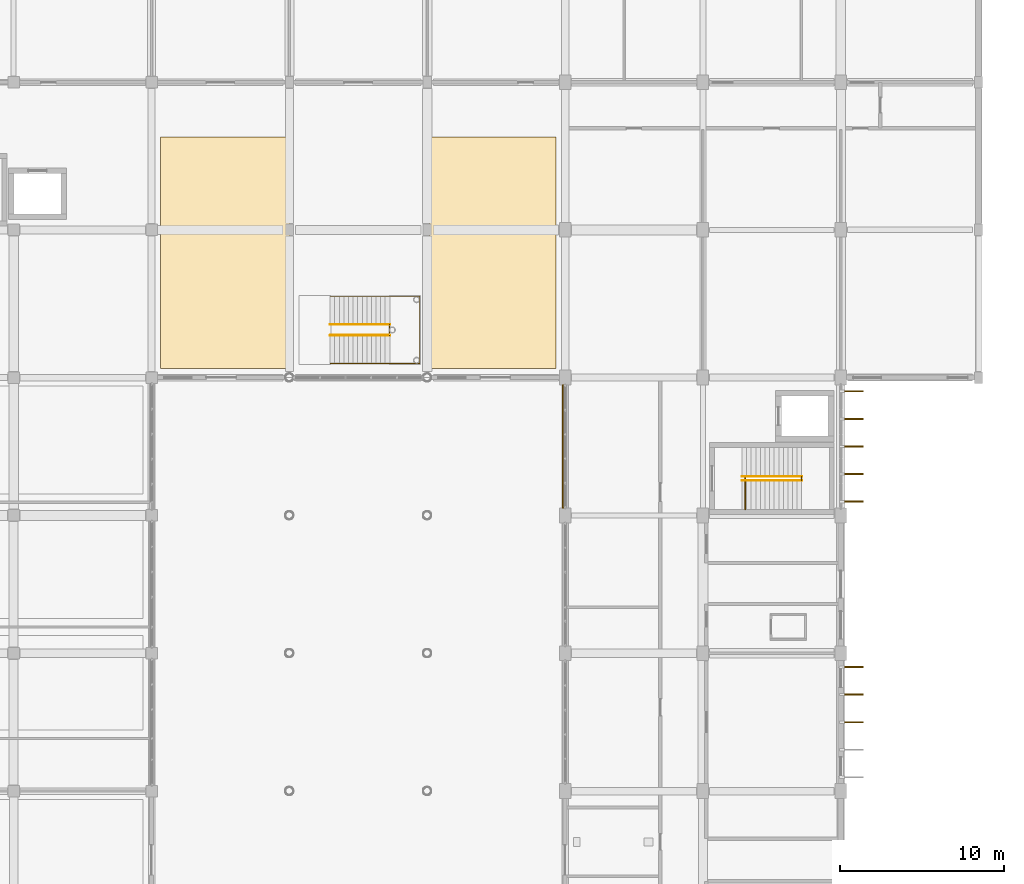
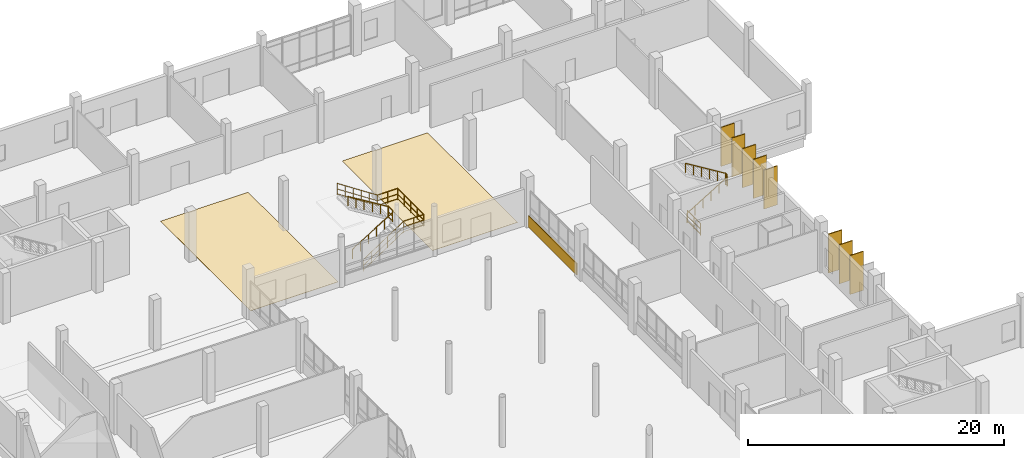
# One storey, part 93 of 95: 8 railings, 8 shading devices, 3 coverings.
"""IFC4 building model written with IfcOpenShell, lengths in metres."""

from ifc_helpers import new_model, si_unit, direction, frame, origin, origin_2d, place, context, subcontext, project, spatial, polyline, rectangle, circle, outline, extrude, material, layer, layer_set, material_profile, profile_set, type_object, element, save


model = new_model("IFC4")

# Units and contexts
model_context = context("Model", 3, precision=1e-05, world=origin(), true_north=direction((0.0, 1.0)))
body_context = subcontext(model_context, "Body", "Model", "MODEL_VIEW")
ifc_project = project(units=[si_unit("LENGTHUNIT", "METRE"), si_unit("AREAUNIT", "SQUARE_METRE"), si_unit("VOLUMEUNIT", "CUBIC_METRE"), si_unit("PLANEANGLEUNIT", "RADIAN"), si_unit("MASSUNIT", "GRAM", prefix="KILO")], contexts=[model_context])

# Site, building, storey
site_placement = place(None, origin())
site = spatial("IfcSite", under=ifc_project, at=site_placement, CompositionType="ELEMENT")
building_placement = place(site_placement, origin())
building = spatial("IfcBuilding", under=site, at=building_placement, Name="Vireocrest Preparatory School", CompositionType="ELEMENT")
storey_placement = place(building_placement, origin())
storey = spatial("IfcBuildingStorey", under=building, at=storey_placement, Name="L00", CompositionType="ELEMENT", Elevation=0.0)

# Railings
ifc_material_1 = material(Name="Brushed stainless steel AISI 316", Category="steel")
railing_type_1 = type_object("IfcRailingType", Name="Post-and-Rail Guard Balustrade 1120", PredefinedType="BALUSTRADE", material=ifc_material_1)
railing_1_placement = place(storey_placement, frame((103.3701171875, 77.75, 0.0)))
element("IfcRailing", 1, at=railing_1_placement, inside=storey, type_object=railing_type_1, Name="Arrival Landing Guard ST4-B01", PredefinedType="BALUSTRADE", context=body_context, shape_type="SweptSolid", body=[
    extrude(circle(Radius=0.02392578125, at=origin_2d()), frame((0.0, 0.0, 1.09619140625), z_axis=(0.0, 1.0, 0.0), x_axis=(-1.0, 0.0, 0.0)), (0.0, 0.0, 1.0), 2.02001953125),
    extrude(circle(Radius=0.01806640625, at=origin_2d()), frame((0.0, 0.0, 0.56005859375), z_axis=(0.0, 1.0, 0.0), x_axis=(-1.0, 0.0, 0.0)), (0.0, 0.0, 1.0), 2.02001953125),
    extrude(circle(Radius=0.01806640625, at=origin_2d()), frame((0.0, 0.0, 0.10009765625), z_axis=(0.0, 1.0, 0.0), x_axis=(-1.0, 0.0, 0.0)), (0.0, 0.0, 1.0), 2.02001953125),
    extrude(circle(Radius=0.02099609375, at=origin_2d()), origin(), (0.0, 0.0, 1.0), 1.072021484375),
    extrude(circle(Radius=0.02099609375, at=origin_2d()), frame((0.0, 1.010009765625, 0.0)), (0.0, 0.0, 1.0), 1.072021484375),
    extrude(circle(Radius=0.02099609375, at=origin_2d()), frame((0.0, 2.02001953125, 0.0)), (0.0, 0.0, 1.0), 1.072021484375),
])
railing_2_placement = place(storey_placement, frame((106.800048828125, 79.530029296875, 2.39990234375)))
element("IfcRailing", 2, at=railing_2_placement, inside=storey, type_object=railing_type_1, Name="Half-Landing Well Guard ST4-L00", PredefinedType="BALUSTRADE", context=body_context, shape_type="SweptSolid", body=[
    extrude(circle(Radius=0.02392578125, at=origin_2d()), frame((0.0, 0.0, 1.09619140625), z_axis=(0.0, 1.0, 0.0), x_axis=(-1.0, 0.0, 0.0)), (0.0, 0.0, 1.0), 0.239990234375),
    extrude(circle(Radius=0.01806640625, at=origin_2d()), frame((0.0, 0.0, 0.56005859375), z_axis=(0.0, 1.0, 0.0), x_axis=(-1.0, 0.0, 0.0)), (0.0, 0.0, 1.0), 0.239990234375),
    extrude(circle(Radius=0.01806640625, at=origin_2d()), frame((0.0, 0.0, 0.10009765625), z_axis=(0.0, 1.0, 0.0), x_axis=(-1.0, 0.0, 0.0)), (0.0, 0.0, 1.0), 0.239990234375),
    extrude(circle(Radius=0.02099609375, at=origin_2d()), origin(), (0.0, 0.0, 1.0), 1.072021484375),
    extrude(circle(Radius=0.02099609375, at=origin_2d()), frame((0.0, 0.239990234375, 0.0)), (0.0, 0.0, 1.0), 1.072021484375),
])
railing_3_placement = place(storey_placement, frame((81.699951171875, 88.3701171875, 2.39990234375)))
element("IfcRailing", 3, at=railing_3_placement, inside=storey, type_object=railing_type_1, Name="Half-Landing Well Guard ST7-L00", PredefinedType="BALUSTRADE", context=body_context, shape_type="SweptSolid", body=[
    extrude(circle(Radius=0.02392578125, at=origin_2d()), frame((0.0, 0.0, 1.09619140625), z_axis=(0.0, 1.0, 0.0), x_axis=(-1.0, 0.0, 0.0)), (0.0, 0.0, 1.0), 0.659912109375),
    extrude(circle(Radius=0.01806640625, at=origin_2d()), frame((0.0, 0.0, 0.56005859375), z_axis=(0.0, 1.0, 0.0), x_axis=(-1.0, 0.0, 0.0)), (0.0, 0.0, 1.0), 0.659912109375),
    extrude(circle(Radius=0.01806640625, at=origin_2d()), frame((0.0, 0.0, 0.10009765625), z_axis=(0.0, 1.0, 0.0), x_axis=(-1.0, 0.0, 0.0)), (0.0, 0.0, 1.0), 0.659912109375),
    extrude(circle(Radius=0.02099609375, at=origin_2d()), origin(), (0.0, 0.0, 1.0), 1.072021484375),
    extrude(circle(Radius=0.02099609375, at=origin_2d()), frame((0.0, 0.659912109375, 0.0)), (0.0, 0.0, 1.0), 1.072021484375),
])
railing_4_placement = place(storey_placement, frame((78.080078125, 86.64990234375, 0.0)))
element("IfcRailing", 4, at=railing_4_placement, inside=storey, type_object=railing_type_1, Name="Feature Stair Outer Guard GR1 ST7", PredefinedType="BALUSTRADE", context=body_context, shape_type="SweptSolid", body=[
    extrude(circle(Radius=0.02392578125, at=origin_2d()), frame((0.0, 0.0, 1.09619140625), z_axis=(0.834865213223, 0.0, 0.550454426587), x_axis=(0.0, 1.0, 0.0)), (0.0, 0.0, 1.0), 4.35986328125),
    extrude(circle(Radius=0.01806640625, at=origin_2d()), frame((0.0, 0.0, 0.56005859375), z_axis=(0.834865213223, 0.0, 0.550454426587), x_axis=(0.0, 1.0, 0.0)), (0.0, 0.0, 1.0), 4.35986328125),
    extrude(circle(Radius=0.01806640625, at=origin_2d()), frame((0.0, 0.0, 0.10009765625), z_axis=(0.834865213223, 0.0, 0.550454426587), x_axis=(0.0, 1.0, 0.0)), (0.0, 0.0, 1.0), 4.35986328125),
    extrude(circle(Radius=0.02392578125, at=origin_2d()), frame((3.639892578125, 0.0, 3.49609375), z_axis=(1.0, 0.0, 0.0), x_axis=(0.0, 1.0, 0.0)), (0.0, 0.0, 1.0), 1.830078125),
    extrude(circle(Radius=0.01806640625, at=origin_2d()), frame((3.639892578125, 0.0, 2.9599609375), z_axis=(1.0, 0.0, 0.0), x_axis=(0.0, 1.0, 0.0)), (0.0, 0.0, 1.0), 1.830078125),
    extrude(circle(Radius=0.01806640625, at=origin_2d()), frame((3.639892578125, 0.0, 2.5), z_axis=(1.0, 0.0, 0.0), x_axis=(0.0, 1.0, 0.0)), (0.0, 0.0, 1.0), 1.830078125),
    extrude(circle(Radius=0.02392578125, at=origin_2d()), frame((5.469970703125, 0.0, 3.49609375), z_axis=(0.0, 1.0, 0.0), x_axis=(-1.0, 0.0, 0.0)), (0.0, 0.0, 1.0), 4.10009765625),
    extrude(circle(Radius=0.01806640625, at=origin_2d()), frame((5.469970703125, 0.0, 2.9599609375), z_axis=(0.0, 1.0, 0.0), x_axis=(-1.0, 0.0, 0.0)), (0.0, 0.0, 1.0), 4.10009765625),
    extrude(circle(Radius=0.01806640625, at=origin_2d()), frame((5.469970703125, 0.0, 2.5), z_axis=(0.0, 1.0, 0.0), x_axis=(-1.0, 0.0, 0.0)), (0.0, 0.0, 1.0), 4.10009765625),
    extrude(circle(Radius=0.02392578125, at=origin_2d()), frame((5.469970703125, 4.10009765625, 3.49609375), z_axis=(-1.0, 0.0, 0.0), x_axis=(0.0, -1.0, 0.0)), (0.0, 0.0, 1.0), 1.830078125),
    extrude(circle(Radius=0.01806640625, at=origin_2d()), frame((5.469970703125, 4.10009765625, 2.9599609375), z_axis=(-1.0, 0.0, 0.0), x_axis=(0.0, -1.0, 0.0)), (0.0, 0.0, 1.0), 1.830078125),
    extrude(circle(Radius=0.01806640625, at=origin_2d()), frame((5.469970703125, 4.10009765625, 2.5), z_axis=(-1.0, 0.0, 0.0), x_axis=(0.0, -1.0, 0.0)), (0.0, 0.0, 1.0), 1.830078125),
    extrude(circle(Radius=0.02392578125, at=origin_2d()), frame((3.639892578125, 4.10009765625, 3.49609375), z_axis=(-0.834839479206, 0.0, 0.550493454965), x_axis=(0.0, -1.0, 0.0)), (0.0, 0.0, 1.0), 4.360107421875),
    extrude(circle(Radius=0.01806640625, at=origin_2d()), frame((3.639892578125, 4.10009765625, 2.9599609375), z_axis=(-0.834839479206, 0.0, 0.550493454965), x_axis=(0.0, -1.0, 0.0)), (0.0, 0.0, 1.0), 4.360107421875),
    extrude(circle(Radius=0.01806640625, at=origin_2d()), frame((3.639892578125, 4.10009765625, 2.5), z_axis=(-0.834839479206, 0.0, 0.550493454965), x_axis=(0.0, -1.0, 0.0)), (0.0, 0.0, 1.0), 4.360107421875),
    extrude(circle(Radius=0.02099609375, at=origin_2d()), origin(), (0.0, 0.0, 1.0), 1.072021484375),
    extrude(circle(Radius=0.02099609375, at=origin_2d()), frame((0.72802734375, 0.0, 0.47998046875)), (0.0, 0.0, 1.0), 1.072021484375),
    extrude(circle(Radius=0.02099609375, at=origin_2d()), frame((1.4560546875, 0.0, 0.9599609375)), (0.0, 0.0, 1.0), 1.072021484375),
    extrude(circle(Radius=0.02099609375, at=origin_2d()), frame((2.183837890625, 0.0, 1.43994140625)), (0.0, 0.0, 1.0), 1.072021484375),
    extrude(circle(Radius=0.02099609375, at=origin_2d()), frame((2.911865234375, 0.0, 1.919921875)), (0.0, 0.0, 1.0), 1.072021484375),
    extrude(circle(Radius=0.02099609375, at=origin_2d()), frame((3.639892578125, 0.0, 2.39990234375)), (0.0, 0.0, 1.0), 1.072021484375),
    extrude(circle(Radius=0.02099609375, at=origin_2d()), frame((4.554931640625, 0.0, 2.39990234375)), (0.0, 0.0, 1.0), 1.072021484375),
    extrude(circle(Radius=0.02099609375, at=origin_2d()), frame((5.469970703125, 0.0, 2.39990234375)), (0.0, 0.0, 1.0), 1.072021484375),
    extrude(circle(Radius=0.02099609375, at=origin_2d()), frame((5.469970703125, 1.02490234375, 2.39990234375)), (0.0, 0.0, 1.0), 1.072021484375),
    extrude(circle(Radius=0.02099609375, at=origin_2d()), frame((5.469970703125, 2.050048828125, 2.39990234375)), (0.0, 0.0, 1.0), 1.072021484375),
    extrude(circle(Radius=0.02099609375, at=origin_2d()), frame((5.469970703125, 3.0751953125, 2.39990234375)), (0.0, 0.0, 1.0), 1.072021484375),
    extrude(circle(Radius=0.02099609375, at=origin_2d()), frame((5.469970703125, 4.10009765625, 2.39990234375)), (0.0, 0.0, 1.0), 1.072021484375),
    extrude(circle(Radius=0.02099609375, at=origin_2d()), frame((4.554931640625, 4.10009765625, 2.39990234375)), (0.0, 0.0, 1.0), 1.072021484375),
    extrude(circle(Radius=0.02099609375, at=origin_2d()), frame((3.639892578125, 4.10009765625, 2.39990234375)), (0.0, 0.0, 1.0), 1.072021484375),
    extrude(circle(Radius=0.02099609375, at=origin_2d()), frame((2.911865234375, 4.10009765625, 2.8798828125)), (0.0, 0.0, 1.0), 1.072021484375),
    extrude(circle(Radius=0.02099609375, at=origin_2d()), frame((2.183837890625, 4.10009765625, 3.35986328125)), (0.0, 0.0, 1.0), 1.072021484375),
    extrude(circle(Radius=0.02099609375, at=origin_2d()), frame((1.4560546875, 4.10009765625, 3.840087890625)), (0.0, 0.0, 1.0), 1.072021484375),
    extrude(circle(Radius=0.02099609375, at=origin_2d()), frame((0.72802734375, 4.10009765625, 4.320068359375)), (0.0, 0.0, 1.0), 1.072021484375),
    extrude(circle(Radius=0.02099609375, at=origin_2d()), frame((0.0, 4.10009765625, 4.800048828125)), (0.0, 0.0, 1.0), 1.072021484375),
])
railing_type_2 = type_object("IfcRailingType", Name="Stair Pitch Handrail 900", PredefinedType="HANDRAIL", material=ifc_material_1)
railing_5_placement = place(storey_placement, frame((103.179931640625, 79.530029296875, 0.17138671875)))
element("IfcRailing", 5, at=railing_5_placement, inside=storey, type_object=railing_type_2, Name="Stair Handrail ST4-L00-HR1", PredefinedType="HANDRAIL", context=body_context, shape_type="SweptSolid", body=[
    extrude(circle(Radius=0.02392578125, at=origin_2d()), frame((0.0, 0.0, 0.8759765625), z_axis=(0.852865859571, 0.0, 0.52213008492), x_axis=(0.0, 1.0, 0.0)), (0.0, 0.0, 1.0), 4.26806640625),
    extrude(circle(Radius=0.02099609375, at=origin_2d()), origin(), (0.0, 0.0, 1.0), 0.851806640625),
    extrude(circle(Radius=0.02099609375, at=origin_2d()), frame((0.72802734375, 0.0, 0.44580078125)), (0.0, 0.0, 1.0), 0.851806640625),
    extrude(circle(Radius=0.02099609375, at=origin_2d()), frame((1.4560546875, 0.0, 0.891357421875)), (0.0, 0.0, 1.0), 0.851806640625),
    extrude(circle(Radius=0.02099609375, at=origin_2d()), frame((2.18408203125, 0.0, 1.337158203125)), (0.0, 0.0, 1.0), 0.851806640625),
    extrude(circle(Radius=0.02099609375, at=origin_2d()), frame((2.912109375, 0.0, 1.78271484375)), (0.0, 0.0, 1.0), 0.851806640625),
    extrude(circle(Radius=0.02099609375, at=origin_2d()), frame((3.64013671875, 0.0, 2.228515625)), (0.0, 0.0, 1.0), 0.851806640625),
])
railing_6_placement = place(storey_placement, frame((106.820068359375, 79.77001953125, 2.5712890625)))
element("IfcRailing", 6, at=railing_6_placement, inside=storey, type_object=railing_type_2, Name="Stair Handrail ST4-L00-HR2", PredefinedType="HANDRAIL", context=body_context, shape_type="SweptSolid", body=[
    extrude(circle(Radius=0.02392578125, at=origin_2d()), frame((0.0, 0.0, 0.8759765625), z_axis=(-0.852840387347, 0.0, 0.522171689878), x_axis=(0.0, -1.0, 0.0)), (0.0, 0.0, 1.0), 4.268310546875),
    extrude(circle(Radius=0.02099609375, at=origin_2d()), origin(), (0.0, 0.0, 1.0), 0.851806640625),
    extrude(circle(Radius=0.02099609375, at=origin_2d()), frame((-0.72802734375, 0.0, 0.44580078125)), (0.0, 0.0, 1.0), 0.851806640625),
    extrude(circle(Radius=0.02099609375, at=origin_2d()), frame((-1.4560546875, 0.0, 0.8916015625)), (0.0, 0.0, 1.0), 0.851806640625),
    extrude(circle(Radius=0.02099609375, at=origin_2d()), frame((-2.18408203125, 0.0, 1.337158203125)), (0.0, 0.0, 1.0), 0.851806640625),
    extrude(circle(Radius=0.02099609375, at=origin_2d()), frame((-2.912109375, 0.0, 1.782958984375)), (0.0, 0.0, 1.0), 0.851806640625),
    extrude(circle(Radius=0.02099609375, at=origin_2d()), frame((-3.64013671875, 0.0, 2.228759765625)), (0.0, 0.0, 1.0), 0.851806640625),
])
railing_7_placement = place(storey_placement, frame((78.080078125, 88.3701171875, 0.17138671875)))
element("IfcRailing", 7, at=railing_7_placement, inside=storey, type_object=railing_type_2, Name="Stair Handrail ST7-L00-HR1", PredefinedType="HANDRAIL", context=body_context, shape_type="SweptSolid", body=[
    extrude(circle(Radius=0.02392578125, at=origin_2d()), frame((0.0, 0.0, 0.8759765625), z_axis=(0.852850264322, 0.0, 0.5221555579), x_axis=(0.0, 1.0, 0.0)), (0.0, 0.0, 1.0), 4.267822265625),
    extrude(circle(Radius=0.02099609375, at=origin_2d()), origin(), (0.0, 0.0, 1.0), 0.851806640625),
    extrude(circle(Radius=0.02099609375, at=origin_2d()), frame((0.72802734375, 0.0, 0.44580078125)), (0.0, 0.0, 1.0), 0.851806640625),
    extrude(circle(Radius=0.02099609375, at=origin_2d()), frame((1.4560546875, 0.0, 0.891357421875)), (0.0, 0.0, 1.0), 0.851806640625),
    extrude(circle(Radius=0.02099609375, at=origin_2d()), frame((2.183837890625, 0.0, 1.337158203125)), (0.0, 0.0, 1.0), 0.851806640625),
    extrude(circle(Radius=0.02099609375, at=origin_2d()), frame((2.911865234375, 0.0, 1.78271484375)), (0.0, 0.0, 1.0), 0.851806640625),
    extrude(circle(Radius=0.02099609375, at=origin_2d()), frame((3.639892578125, 0.0, 2.228515625)), (0.0, 0.0, 1.0), 0.851806640625),
])
railing_8_placement = place(storey_placement, frame((81.719970703125, 89.030029296875, 2.5712890625)))
element("IfcRailing", 8, at=railing_8_placement, inside=storey, type_object=railing_type_2, Name="Stair Handrail ST7-L00-HR2", PredefinedType="HANDRAIL", context=body_context, shape_type="SweptSolid", body=[
    extrude(circle(Radius=0.02392578125, at=origin_2d()), frame((0.0, 0.0, 0.8759765625), z_axis=(-0.852824790078, 0.0, 0.522197163366), x_axis=(0.0, -1.0, 0.0)), (0.0, 0.0, 1.0), 4.26806640625),
    extrude(circle(Radius=0.02099609375, at=origin_2d()), origin(), (0.0, 0.0, 1.0), 0.851806640625),
    extrude(circle(Radius=0.02099609375, at=origin_2d()), frame((-0.72802734375, 0.0, 0.44580078125)), (0.0, 0.0, 1.0), 0.851806640625),
    extrude(circle(Radius=0.02099609375, at=origin_2d()), frame((-1.4560546875, 0.0, 0.8916015625)), (0.0, 0.0, 1.0), 0.851806640625),
    extrude(circle(Radius=0.02099609375, at=origin_2d()), frame((-2.183837890625, 0.0, 1.337158203125)), (0.0, 0.0, 1.0), 0.851806640625),
    extrude(circle(Radius=0.02099609375, at=origin_2d()), frame((-2.911865234375, 0.0, 1.782958984375)), (0.0, 0.0, 1.0), 0.851806640625),
    extrude(circle(Radius=0.02099609375, at=origin_2d()), frame((-3.639892578125, 0.0, 2.228759765625)), (0.0, 0.0, 1.0), 0.851806640625),
])

# Coverings
ifc_material_2 = material(Name="Polished epoxy terrazzo flooring")
ifc_layer_1 = layer(ifc_material_2, 0.02001953125)
ifc_layer_set_1 = layer_set([ifc_layer_1], Name="Polished epoxy terrazzo flooring")
covering_type_1 = type_object("IfcCoveringType", Name="Terrazzo Concourse Flooring", PredefinedType="FLOORING", material=ifc_layer_set_1)
covering_1_placement = place(storey_placement, origin())
element("IfcCovering", 9, at=covering_1_placement, inside=storey, type_object=covering_type_1, Name="Flooring FL1 L00-WG01", PredefinedType="FLOORING", context=body_context, shape_type="SweptSolid", body=[
    extrude(outline(polyline([(67.75, 86.35009765625), (75.64990234375, 86.35009765625), (75.64990234375, 100.449951171875), (67.75, 100.449951171875), (67.75, 86.35009765625)])), origin(), (0.0, 0.0, 1.0), 0.02001953125),
])
covering_2_placement = place(storey_placement, origin())
element("IfcCovering", 10, at=covering_2_placement, inside=storey, type_object=covering_type_1, Name="Flooring FL1 L00-WG02", PredefinedType="FLOORING", context=body_context, shape_type="SweptSolid", body=[
    extrude(outline(polyline([(84.14990234375, 86.35009765625), (91.85009765625, 86.35009765625), (91.85009765625, 100.449951171875), (84.14990234375, 100.449951171875), (84.14990234375, 86.35009765625)])), origin(), (0.0, 0.0, 1.0), 0.02001953125),
])

# Shading devices
ifc_material_3 = material(Name="Warm anodised aluminium EN AW-6063-T6", Category="aluminium")
ifc_material_profile = material_profile(ifc_material_3, rectangle(XDim=0.080078125, YDim=1.199951171875, at=origin_2d()), Name="FIN 80x1200")
ifc_profile_set = profile_set([ifc_material_profile], Name="Warm anodised aluminium EN AW-6063-T6")
shading_device_type = type_object("IfcShadingDeviceType", Name="Vertical Anodised Aluminium Solar Fin 1200", PredefinedType="USERDEFINED", material=ifc_profile_set)
for number, where, z_axis, x_axis, name in (
    (11, (109.97998046875, 64.800048828125, 0.080078125), (0.0, 0.0, 1.0), (0.0, -1.0, 0.0), "Vertical Solar Fin FN1 L00-1-3"),
    (12, (109.97998046875, 66.47998046875, 0.080078125), (0.0, 0.0, 1.0), (0.0, -1.0, 0.0), "Vertical Solar Fin FN1 L00-1-4"),
    (13, (109.97998046875, 68.159912109375, 0.080078125), (0.0, 0.0, 1.0), (0.0, -1.0, 0.0), "Vertical Solar Fin FN1 L00-1-5"),
    (14, (109.97998046875, 78.239990234375, 0.080078125), (0.0, 0.0, 1.0), (0.0, -1.0, 0.0), "Vertical Solar Fin FN1 L00-2-1"),
    (15, (109.97998046875, 79.919921875, 0.080078125), (0.0, 0.0, 1.0), (0.0, -1.0, 0.0), "Vertical Solar Fin FN1 L00-2-2"),
    (16, (109.97998046875, 81.60009765625, 0.080078125), (0.0, 0.0, 1.0), (0.0, -1.0, 0.0), "Vertical Solar Fin FN1 L00-2-3"),
    (17, (109.97998046875, 83.280029296875, 0.080078125), (0.0, 0.0, 1.0), (0.0, -1.0, 0.0), "Vertical Solar Fin FN1 L00-2-4"),
    (18, (109.97998046875, 84.9599609375, 0.080078125), (0.0, 0.0, 1.0), (0.0, -1.0, 0.0), "Vertical Solar Fin FN1 L00-2-5"),
):
    element("IfcShadingDevice", number, at=place(storey_placement, frame(where, z_axis=z_axis, x_axis=x_axis)), inside=storey, type_object=shading_device_type, Name=name, ObjectType="FIN", PredefinedType="USERDEFINED", context=body_context, shape_type="SweptSolid", body=[
        extrude(rectangle(XDim=0.080078125, YDim=1.199951171875, at=origin_2d()), origin(), (0.0, 0.0, 1.0), 3.719970703125),
    ])

# Covering
ifc_material_4 = material(Name="Painted white aluminium cladding EN AW-6063-T6", Category="aluminium")
ifc_layer_2 = layer(ifc_material_4, 0.044921875)
ifc_layer_set_2 = layer_set([ifc_layer_2], Name="Painted white aluminium cladding EN AW-6063-T6")
covering_type_2 = type_object("IfcCoveringType", Name="White High-Tech Horizontal Spandrel Cladding Band", PredefinedType="CLADDING", material=ifc_layer_set_2)
covering_3_placement = place(storey_placement, frame((92.264892578125, 81.60009765625, 0.030029296875), z_axis=(0.0, 0.0, 1.0), x_axis=(1.0, 0.0, 0.0)))
element("IfcCovering", 19, at=covering_3_placement, inside=storey, type_object=covering_type_2, Name="White Court Spandrel Band L00-0131", PredefinedType="CLADDING", context=body_context, shape_type="SweptSolid", body=[
    extrude(rectangle(XDim=0.0849609375, YDim=7.550048828125, at=origin_2d()), origin(), (0.0, 0.0, 1.0), 1.10009765625),
])

save(model, "model.ifc")
